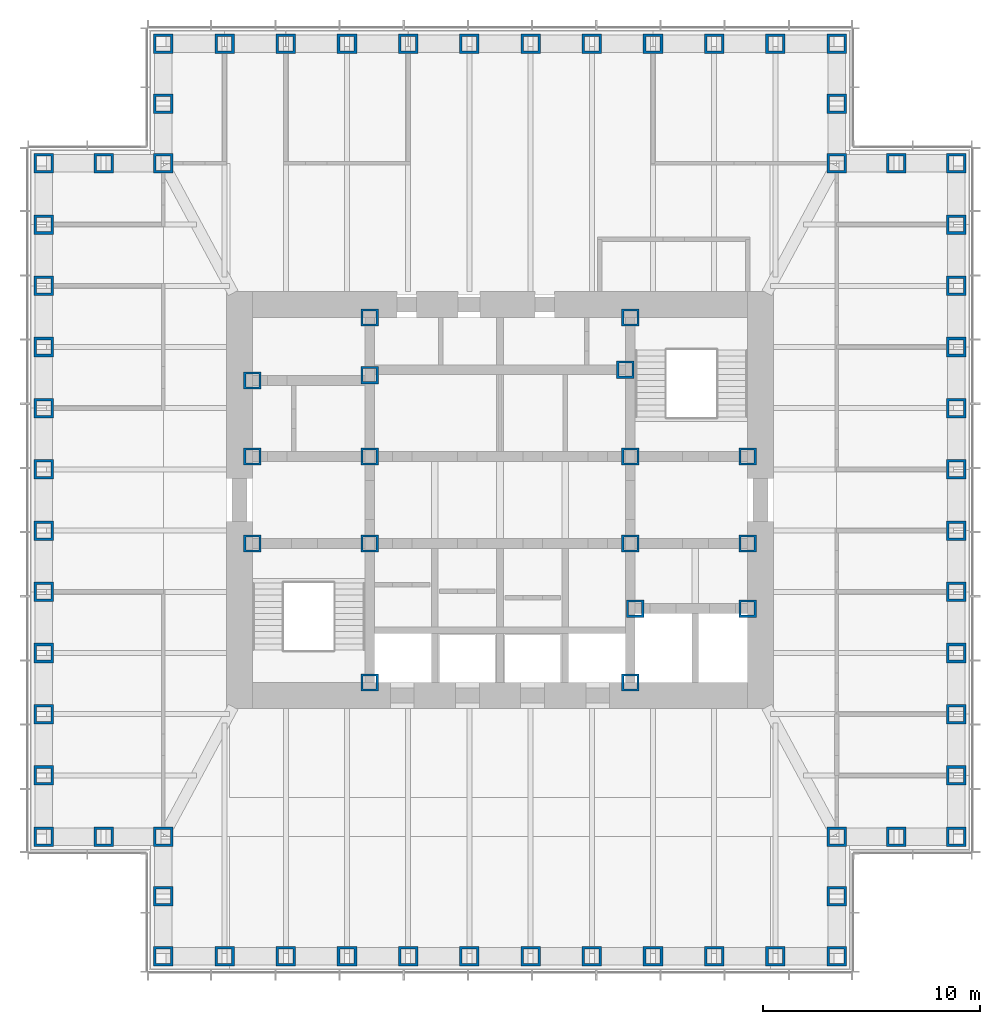
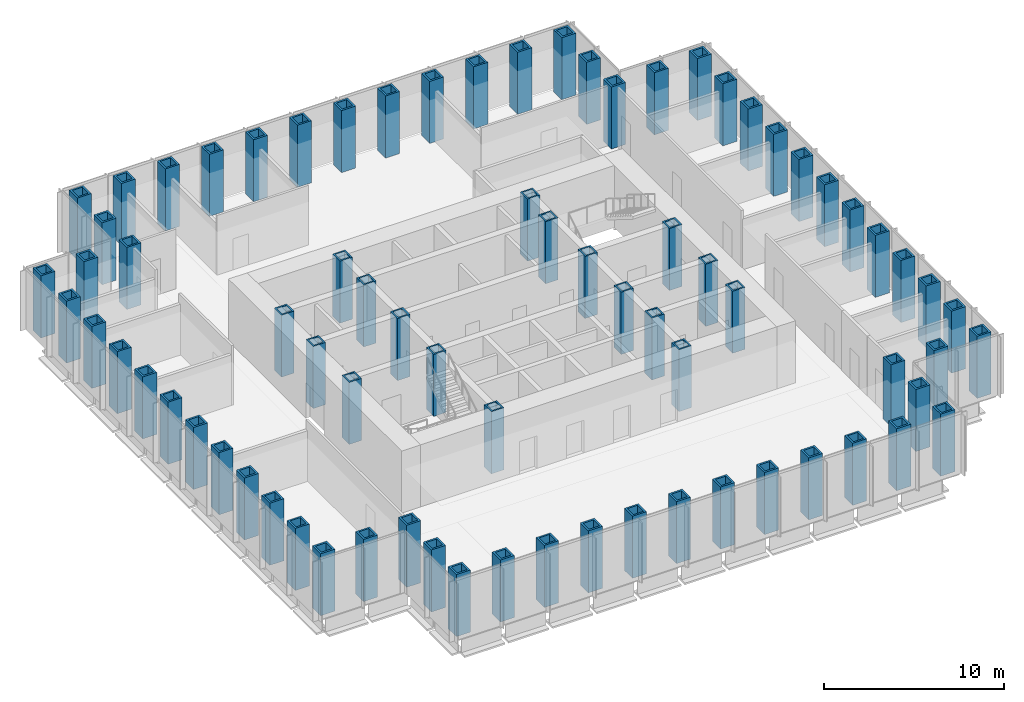
# One storey, part 1 of 16: 77 columns.
"""IFC4 building model written with IfcOpenShell, lengths in metres."""

from ifc_helpers import new_model, si_unit, direction, frame, origin, origin_2d, place, context, subcontext, project, spatial, hollow_rectangle, extrude, material, material_profile, profile_set, type_object, element, save


model = new_model("IFC4")

# Units and contexts
model_context = context("Model", 3, precision=1e-05, world=origin(), true_north=direction((0.0, 1.0)))
body_context = subcontext(model_context, "Body", "Model", "MODEL_VIEW")
ifc_project = project(units=[si_unit("LENGTHUNIT", "METRE"), si_unit("AREAUNIT", "SQUARE_METRE"), si_unit("VOLUMEUNIT", "CUBIC_METRE"), si_unit("PLANEANGLEUNIT", "RADIAN"), si_unit("MASSUNIT", "GRAM", prefix="KILO")], contexts=[model_context])

# Site, building, storey
site_placement = place(None, origin())
site = spatial("IfcSite", under=ifc_project, at=site_placement, CompositionType="ELEMENT")
building_placement = place(site_placement, origin())
building = spatial("IfcBuilding", under=site, at=building_placement, Name="Daluyong Arena Tower", CompositionType="ELEMENT")
storey_placement = place(building_placement, frame((0.0, 0.0, 206.5)))
storey = spatial("IfcBuildingStorey", under=building, at=storey_placement, Name="L46", CompositionType="ELEMENT", Elevation=206.5)

# Columns
ifc_material_1 = material(Name="Steel ASTM A572 Grade 50", Category="steel")
ifc_material_profile_1 = material_profile(ifc_material_1, hollow_rectangle(XDim=0.800048828125, YDim=0.800048828125, WallThickness=0.1, at=origin_2d()))
ifc_profile_set_1 = profile_set([ifc_material_profile_1], Name="Steel ASTM A572 Grade 50")
column_type_1 = type_object("IfcColumnType", Name="Core boundary column BX800X100", PredefinedType="COLUMN", material=ifc_profile_set_1)
for number, where, z_axis, x_axis, name in (
    (1, (44.60009765625, 78.0, 0.0), (0.0, 0.0, 1.0), (1.0, 0.0, 0.0), "core boundary column BC2"),
    (2, (44.60009765625, 82.0, 0.0), (0.0, 0.0, 1.0), (1.0, 0.0, 0.0), "core boundary column BC2"),
    (3, (44.60009765625, 85.5, 0.0), (0.0, 0.0, 1.0), (1.0, 0.0, 0.0), "core boundary column BC2"),
    (4, (50.0, 71.60009765625, 0.0), (0.0, 0.0, 1.0), (1.0, 0.0, 0.0), "core boundary column BC2"),
    (5, (50.0, 78.0, 0.0), (0.0, 0.0, 1.0), (1.0, 0.0, 0.0), "core boundary column BC2"),
    (6, (50.0, 82.0, 0.0), (0.0, 0.0, 1.0), (1.0, 0.0, 0.0), "core boundary column BC2"),
    (7, (50.0, 85.75, 0.0), (0.0, 0.0, 1.0), (1.0, 0.0, 0.0), "core boundary column BC2"),
    (8, (50.0, 88.39990234375, 0.0), (0.0, 0.0, 1.0), (1.0, 0.0, 0.0), "core boundary column BC2"),
    (9, (61.77490234375, 86.0, 0.0), (0.0, 0.0, 1.0), (1.0, 0.0, 0.0), "core boundary column BC2"),
    (10, (62.0, 71.60009765625, 0.0), (0.0, 0.0, 1.0), (1.0, 0.0, 0.0), "core boundary column BC2"),
    (11, (62.0, 78.0, 0.0), (0.0, 0.0, 1.0), (1.0, 0.0, 0.0), "core boundary column BC2"),
    (12, (62.0, 82.0, 0.0), (0.0, 0.0, 1.0), (1.0, 0.0, 0.0), "core boundary column BC2"),
    (13, (62.0, 88.39990234375, 0.0), (0.0, 0.0, 1.0), (1.0, 0.0, 0.0), "core boundary column BC2"),
    (14, (62.22509765625, 75.0, 0.0), (0.0, 0.0, 1.0), (1.0, 0.0, 0.0), "core boundary column BC2"),
    (15, (67.39990234375, 75.0, 0.0), (0.0, 0.0, 1.0), (1.0, 0.0, 0.0), "core boundary column BC2"),
    (16, (67.39990234375, 78.0, 0.0), (0.0, 0.0, 1.0), (1.0, 0.0, 0.0), "core boundary column BC2"),
    (17, (67.39990234375, 82.0, 0.0), (0.0, 0.0, 1.0), (1.0, 0.0, 0.0), "core boundary column BC2"),
):
    element("IfcColumn", number, at=place(storey_placement, frame(where, z_axis=z_axis, x_axis=x_axis)), inside=storey, type_object=column_type_1, Name=name, PredefinedType="COLUMN", context=body_context, shape_type="SweptSolid", body=[
        extrude(hollow_rectangle(XDim=0.800048828125, YDim=0.800048828125, WallThickness=0.1, at=origin_2d()), origin(), (0.0, 0.0, 1.0), 4.199951171875),
    ])
ifc_material_2 = material(Name="Steel ASTM A588 Grade 50", Category="steel")
ifc_material_profile_2 = material_profile(ifc_material_2, hollow_rectangle(XDim=0.89990234375, YDim=0.89990234375, WallThickness=0.12, at=origin_2d()))
ifc_profile_set_2 = profile_set([ifc_material_profile_2], Name="Steel ASTM A588 Grade 50")
column_type_2 = type_object("IfcColumnType", Name="Tube column BX900X120 BX900X120", PredefinedType="COLUMN", material=ifc_profile_set_2)
for number, where, z_axis, x_axis, name in (
    (18, (40.5, 59.0, 0.0), (0.0, 0.0, 1.0), (1.0, 0.0, 0.0), "tube column bx900x120 TC4"),
    (19, (43.318115234375, 59.0, 0.0), (0.0, 0.0, 1.0), (1.0, 0.0, 0.0), "tube column bx900x120 TC4"),
    (20, (46.136474609375, 59.0, 0.0), (0.0, 0.0, 1.0), (1.0, 0.0, 0.0), "tube column bx900x120 TC4"),
    (21, (48.95458984375, 59.0, 0.0), (0.0, 0.0, 1.0), (1.0, 0.0, 0.0), "tube column bx900x120 TC4"),
    (22, (51.772705078125, 59.0, 0.0), (0.0, 0.0, 1.0), (1.0, 0.0, 0.0), "tube column bx900x120 TC4"),
    (23, (54.5908203125, 59.0, 0.0), (0.0, 0.0, 1.0), (1.0, 0.0, 0.0), "tube column bx900x120 TC4"),
    (24, (57.4091796875, 59.0, 0.0), (0.0, 0.0, 1.0), (1.0, 0.0, 0.0), "tube column bx900x120 TC4"),
    (25, (60.227294921875, 59.0, 0.0), (0.0, 0.0, 1.0), (1.0, 0.0, 0.0), "tube column bx900x120 TC4"),
    (26, (63.04541015625, 59.0, 0.0), (0.0, 0.0, 1.0), (1.0, 0.0, 0.0), "tube column bx900x120 TC4"),
    (27, (65.863525390625, 59.0, 0.0), (0.0, 0.0, 1.0), (1.0, 0.0, 0.0), "tube column bx900x120 TC4"),
    (28, (68.681884765625, 59.0, 0.0), (0.0, 0.0, 1.0), (1.0, 0.0, 0.0), "tube column bx900x120 TC4"),
    (29, (71.5, 59.0, 0.0), (0.0, 0.0, 1.0), (0.0, 1.0, 0.0), "tube column bx900x120 TC4"),
    (30, (71.5, 61.75, 0.0), (0.0, 0.0, 1.0), (0.0, 1.0, 0.0), "tube column bx900x120 TC4"),
    (31, (71.5, 64.5, 0.0), (0.0, 0.0, 1.0), (1.0, 0.0, 0.0), "tube column bx900x120 TC4"),
    (32, (74.25, 64.5, 0.0), (0.0, 0.0, 1.0), (1.0, 0.0, 0.0), "tube column bx900x120 TC4"),
    (33, (77.0, 64.5, 0.0), (0.0, 0.0, 1.0), (0.0, 1.0, 0.0), "tube column bx900x120 TC4"),
    (34, (77.0, 67.318115234375, 0.0), (0.0, 0.0, 1.0), (0.0, 1.0, 0.0), "tube column bx900x120 TC4"),
    (35, (77.0, 70.136474609375, 0.0), (0.0, 0.0, 1.0), (0.0, 1.0, 0.0), "tube column bx900x120 TC4"),
    (36, (77.0, 72.95458984375, 0.0), (0.0, 0.0, 1.0), (0.0, 1.0, 0.0), "tube column bx900x120 TC4"),
    (37, (77.0, 75.772705078125, 0.0), (0.0, 0.0, 1.0), (0.0, 1.0, 0.0), "tube column bx900x120 TC4"),
    (38, (77.0, 78.5908203125, 0.0), (0.0, 0.0, 1.0), (0.0, 1.0, 0.0), "tube column bx900x120 TC4"),
    (39, (77.0, 81.4091796875, 0.0), (0.0, 0.0, 1.0), (0.0, 1.0, 0.0), "tube column bx900x120 TC4"),
    (40, (77.0, 84.227294921875, 0.0), (0.0, 0.0, 1.0), (0.0, 1.0, 0.0), "tube column bx900x120 TC4"),
    (41, (77.0, 87.04541015625, 0.0), (0.0, 0.0, 1.0), (0.0, 1.0, 0.0), "tube column bx900x120 TC4"),
    (42, (77.0, 89.863525390625, 0.0), (0.0, 0.0, 1.0), (0.0, 1.0, 0.0), "tube column bx900x120 TC4"),
    (43, (77.0, 92.681884765625, 0.0), (0.0, 0.0, 1.0), (0.0, 1.0, 0.0), "tube column bx900x120 TC4"),
    (44, (77.0, 95.5, 0.0), (0.0, 0.0, 1.0), (1.0, 0.0, 0.0), "tube column bx900x120 TC4"),
    (45, (74.25, 95.5, 0.0), (0.0, 0.0, 1.0), (1.0, 0.0, 0.0), "tube column bx900x120 TC4"),
    (46, (71.5, 95.5, 0.0), (0.0, 0.0, 1.0), (0.0, 1.0, 0.0), "tube column bx900x120 TC4"),
    (47, (71.5, 98.25, 0.0), (0.0, 0.0, 1.0), (0.0, 1.0, 0.0), "tube column bx900x120 TC4"),
    (48, (71.5, 101.0, 0.0), (0.0, 0.0, 1.0), (1.0, 0.0, 0.0), "tube column bx900x120 TC4"),
    (49, (68.681884765625, 101.0, 0.0), (0.0, 0.0, 1.0), (1.0, 0.0, 0.0), "tube column bx900x120 TC4"),
    (50, (65.863525390625, 101.0, 0.0), (0.0, 0.0, 1.0), (1.0, 0.0, 0.0), "tube column bx900x120 TC4"),
    (51, (63.04541015625, 101.0, 0.0), (0.0, 0.0, 1.0), (1.0, 0.0, 0.0), "tube column bx900x120 TC4"),
    (52, (60.227294921875, 101.0, 0.0), (0.0, 0.0, 1.0), (1.0, 0.0, 0.0), "tube column bx900x120 TC4"),
    (53, (57.4091796875, 101.0, 0.0), (0.0, 0.0, 1.0), (1.0, 0.0, 0.0), "tube column bx900x120 TC4"),
    (54, (54.5908203125, 101.0, 0.0), (0.0, 0.0, 1.0), (1.0, 0.0, 0.0), "tube column bx900x120 TC4"),
    (55, (51.772705078125, 101.0, 0.0), (0.0, 0.0, 1.0), (1.0, 0.0, 0.0), "tube column bx900x120 TC4"),
    (56, (48.95458984375, 101.0, 0.0), (0.0, 0.0, 1.0), (1.0, 0.0, 0.0), "tube column bx900x120 TC4"),
    (57, (46.136474609375, 101.0, 0.0), (0.0, 0.0, 1.0), (1.0, 0.0, 0.0), "tube column bx900x120 TC4"),
    (58, (43.318115234375, 101.0, 0.0), (0.0, 0.0, 1.0), (1.0, 0.0, 0.0), "tube column bx900x120 TC4"),
    (59, (40.5, 101.0, 0.0), (0.0, 0.0, 1.0), (0.0, 1.0, 0.0), "tube column bx900x120 TC4"),
    (60, (40.5, 98.25, 0.0), (0.0, 0.0, 1.0), (0.0, 1.0, 0.0), "tube column bx900x120 TC4"),
    (61, (40.5, 95.5, 0.0), (0.0, 0.0, 1.0), (1.0, 0.0, 0.0), "tube column bx900x120 TC4"),
    (62, (37.75, 95.5, 0.0), (0.0, 0.0, 1.0), (1.0, 0.0, 0.0), "tube column bx900x120 TC4"),
    (63, (35.0, 95.5, 0.0), (0.0, 0.0, 1.0), (0.0, 1.0, 0.0), "tube column bx900x120 TC4"),
    (64, (35.0, 92.681884765625, 0.0), (0.0, 0.0, 1.0), (0.0, 1.0, 0.0), "tube column bx900x120 TC4"),
    (65, (35.0, 89.863525390625, 0.0), (0.0, 0.0, 1.0), (0.0, 1.0, 0.0), "tube column bx900x120 TC4"),
    (66, (35.0, 87.04541015625, 0.0), (0.0, 0.0, 1.0), (0.0, 1.0, 0.0), "tube column bx900x120 TC4"),
    (67, (35.0, 84.227294921875, 0.0), (0.0, 0.0, 1.0), (0.0, 1.0, 0.0), "tube column bx900x120 TC4"),
    (68, (35.0, 81.4091796875, 0.0), (0.0, 0.0, 1.0), (0.0, 1.0, 0.0), "tube column bx900x120 TC4"),
    (69, (35.0, 78.5908203125, 0.0), (0.0, 0.0, 1.0), (0.0, 1.0, 0.0), "tube column bx900x120 TC4"),
    (70, (35.0, 75.772705078125, 0.0), (0.0, 0.0, 1.0), (0.0, 1.0, 0.0), "tube column bx900x120 TC4"),
    (71, (35.0, 72.95458984375, 0.0), (0.0, 0.0, 1.0), (0.0, 1.0, 0.0), "tube column bx900x120 TC4"),
    (72, (35.0, 70.136474609375, 0.0), (0.0, 0.0, 1.0), (0.0, 1.0, 0.0), "tube column bx900x120 TC4"),
    (73, (35.0, 67.318115234375, 0.0), (0.0, 0.0, 1.0), (0.0, 1.0, 0.0), "tube column bx900x120 TC4"),
    (74, (35.0, 64.5, 0.0), (0.0, 0.0, 1.0), (1.0, 0.0, 0.0), "tube column bx900x120 TC4"),
    (75, (37.75, 64.5, 0.0), (0.0, 0.0, 1.0), (1.0, 0.0, 0.0), "tube column bx900x120 TC4"),
    (76, (40.5, 64.5, 0.0), (0.0, 0.0, 1.0), (0.0, 1.0, 0.0), "tube column bx900x120 TC4"),
    (77, (40.5, 61.75, 0.0), (0.0, 0.0, 1.0), (0.0, 1.0, 0.0), "tube column bx900x120 TC4"),
):
    element("IfcColumn", number, at=place(storey_placement, frame(where, z_axis=z_axis, x_axis=x_axis)), inside=storey, type_object=column_type_2, Name=name, PredefinedType="COLUMN", context=body_context, shape_type="SweptSolid", body=[
        extrude(hollow_rectangle(XDim=0.89990234375, YDim=0.89990234375, WallThickness=0.12, at=origin_2d()), origin(), (0.0, 0.0, 1.0), 4.199951171875),
    ])

save(model, "model.ifc")
